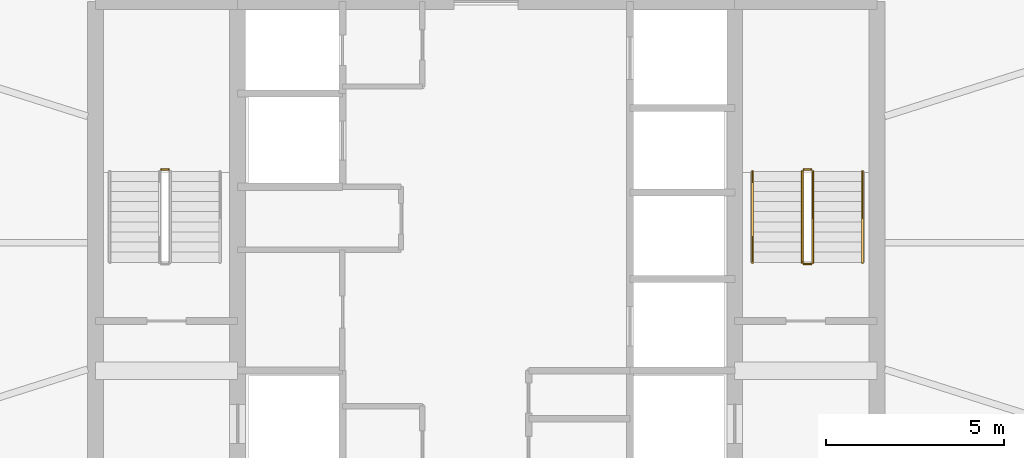
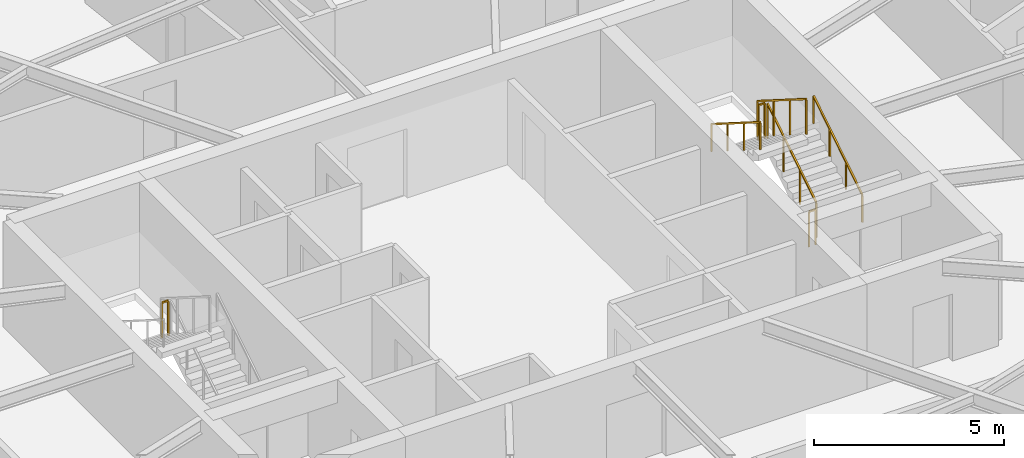
# One storey, part 28 of 28: 7 railings.
"""IFC4 building model written with IfcOpenShell, lengths in metres."""

from ifc_helpers import new_model, si_unit, direction, frame, origin, origin_2d, place, context, subcontext, project, spatial, rectangle, extrude, material, type_object, element, save


model = new_model("IFC4")

# Units and contexts
model_context = context("Model", 3, precision=1e-05, world=origin(), true_north=direction((0.0, 1.0)))
body_context = subcontext(model_context, "Body", "Model", "MODEL_VIEW")
ifc_project = project(units=[si_unit("LENGTHUNIT", "METRE"), si_unit("AREAUNIT", "SQUARE_METRE"), si_unit("VOLUMEUNIT", "CUBIC_METRE"), si_unit("PLANEANGLEUNIT", "RADIAN"), si_unit("MASSUNIT", "GRAM", prefix="KILO")], contexts=[model_context])

# Site, building, storey
site_placement = place(None, origin())
site = spatial("IfcSite", under=ifc_project, at=site_placement, CompositionType="ELEMENT")
building_placement = place(site_placement, origin())
building = spatial("IfcBuilding", under=site, at=building_placement, Name="Sarneth Arch Tower", CompositionType="ELEMENT")
storey_placement = place(building_placement, frame((0.0, 0.0, 154.199951171875)))
storey = spatial("IfcBuildingStorey", under=building, at=storey_placement, Name="L38", CompositionType="ELEMENT", Elevation=154.199951171875)

# Railings
ifc_material_1 = material(Name="Brushed Stainless Steel 304 tubular handrail", Category="steel")
railing_type_1 = type_object("IfcRailingType", Name="RAIL-HANDRAIL-900", PredefinedType="HANDRAIL", material=ifc_material_1)
railing_1_placement = place(storey_placement, frame((58.60009765625, 41.449951171875, 0.179931640625)))
element("IfcRailing", 1, at=railing_1_placement, inside=storey, type_object=railing_type_1, Name="L38 ST-2 stair handrail 1", PredefinedType="HANDRAIL", context=body_context, shape_type="SweptSolid", body=[
    extrude(rectangle(XDim=0.048095703125, YDim=0.048095703125, at=origin_2d()), frame((0.0, 0.0, 0.8759765625), z_axis=(0.0, 0.845465955043, 0.534029323973), x_axis=(-1.0, 0.0, 0.0)), (0.0, 0.0, 1.0), 3.03369140625),
    extrude(rectangle(XDim=0.0419921875, YDim=0.0419921875, at=origin_2d()), origin(), (0.0, 0.0, 1.0), 0.851806640625),
    extrude(rectangle(XDim=0.0419921875, YDim=0.0419921875, at=origin_2d()), frame((0.0, 0.85498046875, 0.5400390625)), (0.0, 0.0, 1.0), 0.851806640625),
    extrude(rectangle(XDim=0.0419921875, YDim=0.0419921875, at=origin_2d()), frame((0.0, 1.7099609375, 1.080078125)), (0.0, 0.0, 1.0), 0.851806640625),
    extrude(rectangle(XDim=0.0419921875, YDim=0.0419921875, at=origin_2d()), frame((0.0, 2.56494140625, 1.6201171875)), (0.0, 0.0, 1.0), 0.851806640625),
])
railing_2_placement = place(storey_placement, frame((55.5, 44.014892578125, 1.97998046875)))
element("IfcRailing", 2, at=railing_2_placement, inside=storey, type_object=railing_type_1, Name="L38 ST-2 stair handrail 2", PredefinedType="HANDRAIL", context=body_context, shape_type="SweptSolid", body=[
    extrude(rectangle(XDim=0.048095703125, YDim=0.048095703125, at=origin_2d()), frame((0.0, 0.0, 0.8759765625), z_axis=(0.0, -0.845465955043, 0.534029323973), x_axis=(1.0, 0.0, 0.0)), (0.0, 0.0, 1.0), 3.03369140625),
    extrude(rectangle(XDim=0.0419921875, YDim=0.0419921875, at=origin_2d()), origin(), (0.0, 0.0, 1.0), 0.851806640625),
    extrude(rectangle(XDim=0.0419921875, YDim=0.0419921875, at=origin_2d()), frame((0.0, -0.85498046875, 0.5400390625)), (0.0, 0.0, 1.0), 0.851806640625),
    extrude(rectangle(XDim=0.0419921875, YDim=0.0419921875, at=origin_2d()), frame((0.0, -1.7099609375, 1.080078125)), (0.0, 0.0, 1.0), 0.851806640625),
    extrude(rectangle(XDim=0.0419921875, YDim=0.0419921875, at=origin_2d()), frame((0.0, -2.56494140625, 1.6201171875)), (0.0, 0.0, 1.0), 0.851806640625),
])
ifc_material_2 = material(Name="Painted Steel S275 stair well guard", Category="steel")
railing_type_2 = type_object("IfcRailingType", Name="RAIL-STAIR-GUARD", PredefinedType="GUARDRAIL", material=ifc_material_2)
railing_3_placement = place(storey_placement, frame((39.050048828125, 44.06494140625, 1.800048828125)))
element("IfcRailing", 3, at=railing_3_placement, inside=storey, type_object=railing_type_2, Name="L38 ST-1 stair guard 2", PredefinedType="GUARDRAIL", context=body_context, shape_type="SweptSolid", body=[
    extrude(rectangle(XDim=0.048095703125, YDim=0.048095703125, at=origin_2d()), frame((0.0, 0.0, 1.1259765625), z_axis=(-1.0, 0.0, 0.0), x_axis=(0.0, -1.0, 0.0)), (0.0, 0.0, 1.0), 0.199951171875),
    extrude(rectangle(XDim=0.0419921875, YDim=0.0419921875, at=origin_2d()), origin(), (0.0, 0.0, 1.0), 1.101806640625),
    extrude(rectangle(XDim=0.0419921875, YDim=0.0419921875, at=origin_2d()), frame((-0.199951171875, 0.0, 0.0)), (0.0, 0.0, 1.0), 1.101806640625),
])
railing_4_placement = place(storey_placement, frame((57.199951171875, 41.449951171875, 0.179931640625)))
element("IfcRailing", 4, at=railing_4_placement, inside=storey, type_object=railing_type_2, Name="L38 ST-2 stair guard 1", PredefinedType="GUARDRAIL", context=body_context, shape_type="SweptSolid", body=[
    extrude(rectangle(XDim=0.048095703125, YDim=0.048095703125, at=origin_2d()), frame((0.0, 0.0, 1.1259765625), z_axis=(0.0, 0.845465955043, 0.534029323973), x_axis=(-1.0, 0.0, 0.0)), (0.0, 0.0, 1.0), 3.03369140625),
    extrude(rectangle(XDim=0.0419921875, YDim=0.0419921875, at=origin_2d()), origin(), (0.0, 0.0, 1.0), 1.101806640625),
    extrude(rectangle(XDim=0.0419921875, YDim=0.0419921875, at=origin_2d()), frame((0.0, 0.85498046875, 0.5400390625)), (0.0, 0.0, 1.0), 1.101806640625),
    extrude(rectangle(XDim=0.0419921875, YDim=0.0419921875, at=origin_2d()), frame((0.0, 1.7099609375, 1.080078125)), (0.0, 0.0, 1.0), 1.101806640625),
    extrude(rectangle(XDim=0.0419921875, YDim=0.0419921875, at=origin_2d()), frame((0.0, 2.56494140625, 1.6201171875)), (0.0, 0.0, 1.0), 1.101806640625),
])
railing_5_placement = place(storey_placement, frame((57.14990234375, 44.06494140625, 1.800048828125)))
element("IfcRailing", 5, at=railing_5_placement, inside=storey, type_object=railing_type_2, Name="L38 ST-2 stair guard 2", PredefinedType="GUARDRAIL", context=body_context, shape_type="SweptSolid", body=[
    extrude(rectangle(XDim=0.048095703125, YDim=0.048095703125, at=origin_2d()), frame((0.0, 0.0, 1.1259765625), z_axis=(-1.0, 0.0, 0.0), x_axis=(0.0, -1.0, 0.0)), (0.0, 0.0, 1.0), 0.199951171875),
    extrude(rectangle(XDim=0.0419921875, YDim=0.0419921875, at=origin_2d()), origin(), (0.0, 0.0, 1.0), 1.101806640625),
    extrude(rectangle(XDim=0.0419921875, YDim=0.0419921875, at=origin_2d()), frame((-0.199951171875, 0.0, 0.0)), (0.0, 0.0, 1.0), 1.101806640625),
])
railing_6_placement = place(storey_placement, frame((56.89990234375, 44.014892578125, 1.97998046875)))
element("IfcRailing", 6, at=railing_6_placement, inside=storey, type_object=railing_type_2, Name="L38 ST-2 stair guard 3", PredefinedType="GUARDRAIL", context=body_context, shape_type="SweptSolid", body=[
    extrude(rectangle(XDim=0.048095703125, YDim=0.048095703125, at=origin_2d()), frame((0.0, 0.0, 1.1259765625), z_axis=(0.0, -0.845465955043, 0.534029323973), x_axis=(1.0, 0.0, 0.0)), (0.0, 0.0, 1.0), 3.03369140625),
    extrude(rectangle(XDim=0.0419921875, YDim=0.0419921875, at=origin_2d()), origin(), (0.0, 0.0, 1.0), 1.101806640625),
    extrude(rectangle(XDim=0.0419921875, YDim=0.0419921875, at=origin_2d()), frame((0.0, -0.85498046875, 0.5400390625)), (0.0, 0.0, 1.0), 1.101806640625),
    extrude(rectangle(XDim=0.0419921875, YDim=0.0419921875, at=origin_2d()), frame((0.0, -1.7099609375, 1.080078125)), (0.0, 0.0, 1.0), 1.101806640625),
    extrude(rectangle(XDim=0.0419921875, YDim=0.0419921875, at=origin_2d()), frame((0.0, -2.56494140625, 1.6201171875)), (0.0, 0.0, 1.0), 1.101806640625),
])
railing_7_placement = place(storey_placement, frame((57.14990234375, 41.39990234375, 0.0)))
element("IfcRailing", 7, at=railing_7_placement, inside=storey, type_object=railing_type_2, Name="L38 ST-2 stair guard 4", PredefinedType="GUARDRAIL", context=body_context, shape_type="SweptSolid", body=[
    extrude(rectangle(XDim=0.048095703125, YDim=0.048095703125, at=origin_2d()), frame((0.0, 0.0, 1.1259765625), z_axis=(-1.0, 0.0, 0.0), x_axis=(0.0, -1.0, 0.0)), (0.0, 0.0, 1.0), 0.199951171875),
    extrude(rectangle(XDim=0.0419921875, YDim=0.0419921875, at=origin_2d()), origin(), (0.0, 0.0, 1.0), 1.101806640625),
    extrude(rectangle(XDim=0.0419921875, YDim=0.0419921875, at=origin_2d()), frame((-0.199951171875, 0.0, 0.0)), (0.0, 0.0, 1.0), 1.101806640625),
])

save(model, "model.ifc")
